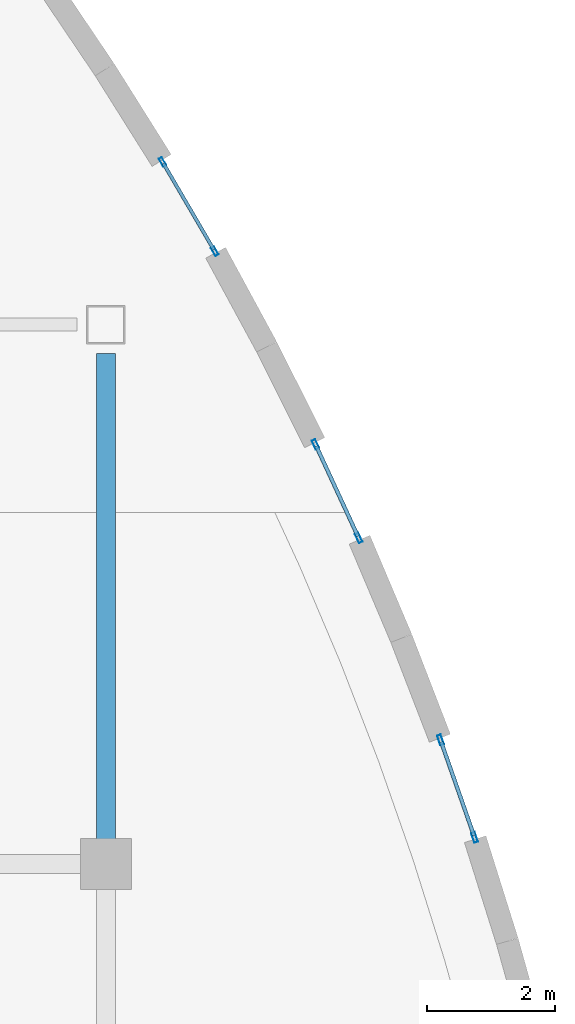
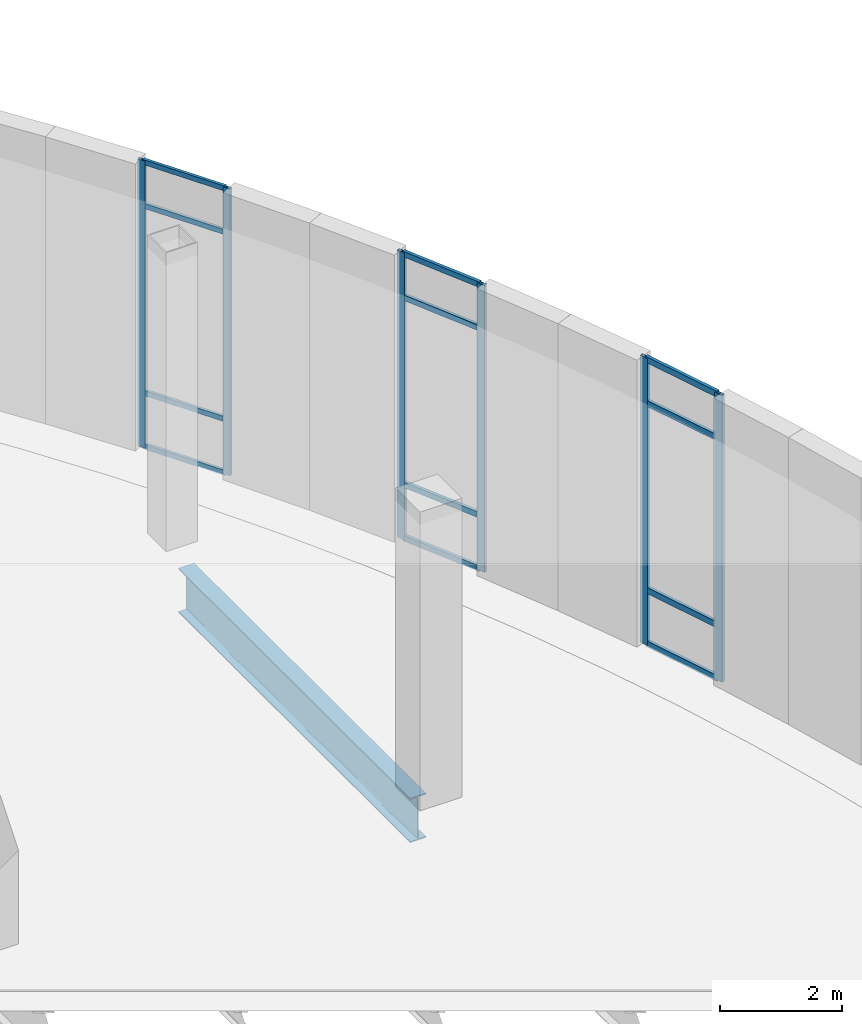
# One storey, part 33 of 85: 18 members, 1 beam, 3 elements without a shape of their own.
"""IFC4 building model written with IfcOpenShell, lengths in metres."""

from ifc_helpers import new_model, si_unit, direction, frame, origin, origin_2d, place, context, subcontext, project, spatial, hollow_rectangle, i_section, extrude, material, layer, layer_set, material_profile, profile_set, type_object, element, aggregate, save


model = new_model("IFC4")

# Units and contexts
model_context = context("Model", 3, precision=1e-05, world=origin(), true_north=direction((0.0, 1.0)))
body_context = subcontext(model_context, "Body", "Model", "MODEL_VIEW")
ifc_project = project(units=[si_unit("LENGTHUNIT", "METRE"), si_unit("AREAUNIT", "SQUARE_METRE"), si_unit("VOLUMEUNIT", "CUBIC_METRE"), si_unit("PLANEANGLEUNIT", "RADIAN"), si_unit("MASSUNIT", "GRAM", prefix="KILO"), si_unit("THERMODYNAMICTEMPERATUREUNIT", "KELVIN")], contexts=[model_context])

# Site, building, storey
site_placement = place(None, origin())
site = spatial("IfcSite", under=ifc_project, at=site_placement, CompositionType="ELEMENT")
building_placement = place(site_placement, origin())
building = spatial("IfcBuilding", under=site, at=building_placement, Name="Lustrewick Department Store", CompositionType="ELEMENT")
storey_placement = place(building_placement, origin())
storey = spatial("IfcBuildingStorey", under=building, at=storey_placement, Name="L01", CompositionType="ELEMENT", Elevation=0.0)

# Curtain wall, members
ifc_material_1 = material(Name="Thermally broken aluminium 6063-T5", Category="aluminium")
ifc_layer_1 = layer(ifc_material_1, 0.159912109375, Name="Thermally broken aluminium 6063-T5")
ifc_layer_set_1 = layer_set([ifc_layer_1], Name="Thermally broken aluminium 6063-T5")
curtain_wall_type_1 = type_object("IfcCurtainWallType", Name="CW04", PredefinedType="NOTDEFINED", material=ifc_layer_set_1)
curtain_wall_1_placement = place(storey_placement, origin())
curtain_wall_1 = element("IfcCurtainWall", 1, at=curtain_wall_1_placement, inside=storey, type_object=curtain_wall_type_1, Name="L01 V4 Curtain Wall CW04", PredefinedType="NOTDEFINED")
ifc_material_profile_1 = material_profile(ifc_material_1, hollow_rectangle(XDim=0.06005859375, YDim=0.159912109375, WallThickness=0.00390625, at=origin_2d()), Name="ALU-M 60x160x4")
ifc_profile_set_1 = profile_set([ifc_material_profile_1], Name="Thermally broken aluminium 6063-T5")
member_type_1 = type_object("IfcMemberType", Name="CW04-M1", PredefinedType="MULLION", material=ifc_profile_set_1)
member_1_placement = place(storey_placement, frame((165.341064453125, 76.013916015625, 0.0), z_axis=(0.0, 0.0, 1.0), x_axis=(-0.943893891059, -0.330248879516, 0.0)))
member_1 = element("IfcMember", 2, at=member_1_placement, type_object=member_type_1, Name="CW04 mullion 1", PredefinedType="MULLION", context=body_context, shape_type="SweptSolid", body=[
    extrude(hollow_rectangle(XDim=0.06005859375, YDim=0.159912109375, WallThickness=0.00390625, at=origin_2d()), origin(), (0.0, 0.0, 1.0), 5.7451171875),
])
member_2_placement = place(storey_placement, frame((164.810302734375, 77.53076171875, 0.0), z_axis=(0.0, 0.0, 1.0), x_axis=(-0.943893891059, -0.330248879516, 0.0)))
member_2 = element("IfcMember", 3, at=member_2_placement, type_object=member_type_1, Name="CW04 mullion 2", PredefinedType="MULLION", context=body_context, shape_type="SweptSolid", body=[
    extrude(hollow_rectangle(XDim=0.06005859375, YDim=0.159912109375, WallThickness=0.00390625, at=origin_2d()), origin(), (0.0, 0.0, 1.0), 5.7451171875),
])
ifc_material_profile_2 = material_profile(ifc_material_1, hollow_rectangle(XDim=0.06005859375, YDim=0.1201171875, WallThickness=0.00341796875, at=origin_2d()), Name="ALU-T 60x120x3.5")
ifc_profile_set_2 = profile_set([ifc_material_profile_2], Name="Thermally broken aluminium 6063-T5")
member_type_2 = type_object("IfcMemberType", Name="CW04-T1", PredefinedType="USERDEFINED", material=ifc_profile_set_2)
member_3_placement = place(storey_placement, frame((165.3310546875, 76.042236328125, 0.030029296875), z_axis=(-0.330160611584, 0.943924769544, 0.0), x_axis=(-0.943924769544, -0.330160611584, 0.0)))
member_3 = element("IfcMember", 4, at=member_3_placement, type_object=member_type_2, Name="CW04 transom 1.1", ObjectType="TRANSOM", PredefinedType="USERDEFINED", context=body_context, shape_type="SweptSolid", body=[
    extrude(hollow_rectangle(XDim=0.06005859375, YDim=0.1201171875, WallThickness=0.00341796875, at=origin_2d()), origin(), (0.0, 0.0, 1.0), 1.546875),
])
member_4_placement = place(storey_placement, frame((165.3310546875, 76.042236328125, 1.10009765625), z_axis=(-0.330160611584, 0.943924769544, 0.0), x_axis=(-0.943924769544, -0.330160611584, 0.0)))
member_4 = element("IfcMember", 5, at=member_4_placement, type_object=member_type_2, Name="CW04 transom 1.2", ObjectType="TRANSOM", PredefinedType="USERDEFINED", context=body_context, shape_type="SweptSolid", body=[
    extrude(hollow_rectangle(XDim=0.06005859375, YDim=0.1201171875, WallThickness=0.00341796875, at=origin_2d()), origin(), (0.0, 0.0, 1.0), 1.546875),
])
member_5_placement = place(storey_placement, frame((165.3310546875, 76.042236328125, 4.844970703125), z_axis=(-0.330160611584, 0.943924769544, 0.0), x_axis=(-0.943924769544, -0.330160611584, 0.0)))
member_5 = element("IfcMember", 6, at=member_5_placement, type_object=member_type_2, Name="CW04 transom 1.3", ObjectType="TRANSOM", PredefinedType="USERDEFINED", context=body_context, shape_type="SweptSolid", body=[
    extrude(hollow_rectangle(XDim=0.06005859375, YDim=0.1201171875, WallThickness=0.00341796875, at=origin_2d()), origin(), (0.0, 0.0, 1.0), 1.546875),
])
member_6_placement = place(storey_placement, frame((165.3310546875, 76.042236328125, 5.715087890625), z_axis=(-0.330160611584, 0.943924769544, 0.0), x_axis=(-0.943924769544, -0.330160611584, 0.0)))
member_6 = element("IfcMember", 7, at=member_6_placement, type_object=member_type_2, Name="CW04 transom 1.4", ObjectType="TRANSOM", PredefinedType="USERDEFINED", context=body_context, shape_type="SweptSolid", body=[
    extrude(hollow_rectangle(XDim=0.06005859375, YDim=0.1201171875, WallThickness=0.00341796875, at=origin_2d()), origin(), (0.0, 0.0, 1.0), 1.546875),
])
aggregate(curtain_wall_1, [member_1, member_2, member_3, member_4, member_5, member_6])

ifc_layer_2 = layer(ifc_material_1, 0.14990234375, Name="Thermally broken aluminium 6063-T5")
ifc_layer_set_2 = layer_set([ifc_layer_2], Name="Thermally broken aluminium 6063-T5")
curtain_wall_type_2 = type_object("IfcCurtainWallType", Name="CW05", PredefinedType="NOTDEFINED", material=ifc_layer_set_2)
curtain_wall_2_placement = place(storey_placement, origin())
curtain_wall_2 = element("IfcCurtainWall", 8, at=curtain_wall_2_placement, inside=storey, type_object=curtain_wall_type_2, Name="L01 V4 Curtain Wall CW05", PredefinedType="NOTDEFINED")
ifc_material_profile_3 = material_profile(ifc_material_1, hollow_rectangle(XDim=0.06005859375, YDim=0.14990234375, WallThickness=0.00341796875, at=origin_2d()), Name="ALU-M 60x150x3.5")
ifc_profile_set_3 = profile_set([ifc_material_profile_3], Name="Thermally broken aluminium 6063-T5")
member_type_3 = type_object("IfcMemberType", Name="CW05-M1", PredefinedType="MULLION", material=ifc_profile_set_3)
member_7_placement = place(storey_placement, frame((163.536865234375, 80.676025390625, 0.0), z_axis=(0.0, 0.0, 1.0), x_axis=(-0.907810086565, -0.419381504995, 0.0)))
member_7 = element("IfcMember", 9, at=member_7_placement, type_object=member_type_3, Name="CW05 mullion 1", PredefinedType="MULLION", context=body_context, shape_type="SweptSolid", body=[
    extrude(hollow_rectangle(XDim=0.06005859375, YDim=0.14990234375, WallThickness=0.00341796875, at=origin_2d()), origin(), (0.0, 0.0, 1.0), 5.7451171875),
])
member_8_placement = place(storey_placement, frame((162.863037109375, 82.134765625, 0.0), z_axis=(0.0, 0.0, 1.0), x_axis=(-0.907810086565, -0.419381504995, 0.0)))
member_8 = element("IfcMember", 10, at=member_8_placement, type_object=member_type_3, Name="CW05 mullion 2", PredefinedType="MULLION", context=body_context, shape_type="SweptSolid", body=[
    extrude(hollow_rectangle(XDim=0.06005859375, YDim=0.14990234375, WallThickness=0.00341796875, at=origin_2d()), origin(), (0.0, 0.0, 1.0), 5.7451171875),
])
ifc_material_profile_4 = material_profile(ifc_material_1, hollow_rectangle(XDim=0.06005859375, YDim=0.110107421875, WallThickness=0.0029296875, at=origin_2d()), Name="ALU-T 60x110x3")
ifc_profile_set_4 = profile_set([ifc_material_profile_4], Name="Thermally broken aluminium 6063-T5")
member_type_4 = type_object("IfcMemberType", Name="CW05-T1", PredefinedType="USERDEFINED", material=ifc_profile_set_4)
member_9_placement = place(storey_placement, frame((163.5244140625, 80.703125, 0.030029296875), z_axis=(-0.419478465545, 0.907765287365, 0.0), x_axis=(-0.907765287365, -0.419478465545, 0.0)))
member_9 = element("IfcMember", 11, at=member_9_placement, type_object=member_type_4, Name="CW05 transom 1.1", ObjectType="TRANSOM", PredefinedType="USERDEFINED", context=body_context, shape_type="SweptSolid", body=[
    extrude(hollow_rectangle(XDim=0.06005859375, YDim=0.110107421875, WallThickness=0.0029296875, at=origin_2d()), origin(), (0.0, 0.0, 1.0), 1.546875),
])
member_10_placement = place(storey_placement, frame((163.5244140625, 80.703125, 1.10009765625), z_axis=(-0.419478465545, 0.907765287365, 0.0), x_axis=(-0.907765287365, -0.419478465545, 0.0)))
member_10 = element("IfcMember", 12, at=member_10_placement, type_object=member_type_4, Name="CW05 transom 1.2", ObjectType="TRANSOM", PredefinedType="USERDEFINED", context=body_context, shape_type="SweptSolid", body=[
    extrude(hollow_rectangle(XDim=0.06005859375, YDim=0.110107421875, WallThickness=0.0029296875, at=origin_2d()), origin(), (0.0, 0.0, 1.0), 1.546875),
])
member_11_placement = place(storey_placement, frame((163.5244140625, 80.703125, 4.844970703125), z_axis=(-0.419478465545, 0.907765287365, 0.0), x_axis=(-0.907765287365, -0.419478465545, 0.0)))
member_11 = element("IfcMember", 13, at=member_11_placement, type_object=member_type_4, Name="CW05 transom 1.3", ObjectType="TRANSOM", PredefinedType="USERDEFINED", context=body_context, shape_type="SweptSolid", body=[
    extrude(hollow_rectangle(XDim=0.06005859375, YDim=0.110107421875, WallThickness=0.0029296875, at=origin_2d()), origin(), (0.0, 0.0, 1.0), 1.546875),
])
member_12_placement = place(storey_placement, frame((163.5244140625, 80.703125, 5.715087890625), z_axis=(-0.419478465545, 0.907765287365, 0.0), x_axis=(-0.907765287365, -0.419478465545, 0.0)))
member_12 = element("IfcMember", 14, at=member_12_placement, type_object=member_type_4, Name="CW05 transom 1.4", ObjectType="TRANSOM", PredefinedType="USERDEFINED", context=body_context, shape_type="SweptSolid", body=[
    extrude(hollow_rectangle(XDim=0.06005859375, YDim=0.110107421875, WallThickness=0.0029296875, at=origin_2d()), origin(), (0.0, 0.0, 1.0), 1.546875),
])
aggregate(curtain_wall_2, [member_7, member_8, member_9, member_10, member_11, member_12])

ifc_layer_3 = layer(ifc_material_1, 0.139892578125, Name="Thermally broken aluminium 6063-T5")
ifc_layer_set_3 = layer_set([ifc_layer_3], Name="Thermally broken aluminium 6063-T5")
curtain_wall_type_3 = type_object("IfcCurtainWallType", Name="CW06", PredefinedType="NOTDEFINED", material=ifc_layer_set_3)
curtain_wall_3_placement = place(storey_placement, origin())
curtain_wall_3 = element("IfcCurtainWall", 15, at=curtain_wall_3_placement, inside=storey, type_object=curtain_wall_type_3, Name="L01 V4 Curtain Wall CW06", PredefinedType="NOTDEFINED")
ifc_material_profile_5 = material_profile(ifc_material_1, hollow_rectangle(XDim=0.054931640625, YDim=0.139892578125, WallThickness=0.00341796875, at=origin_2d()), Name="ALU-M 55x140x3.5")
ifc_profile_set_5 = profile_set([ifc_material_profile_5], Name="Thermally broken aluminium 6063-T5")
member_type_5 = type_object("IfcMemberType", Name="CW06-M1", PredefinedType="MULLION", material=ifc_profile_set_5)
member_13_placement = place(storey_placement, frame((161.294677734375, 85.14111328125, 0.0), z_axis=(0.0, 0.0, 1.0), x_axis=(-0.86332815827, -0.504642934299, 0.0)))
member_13 = element("IfcMember", 16, at=member_13_placement, type_object=member_type_5, Name="CW06 mullion 1", PredefinedType="MULLION", context=body_context, shape_type="SweptSolid", body=[
    extrude(hollow_rectangle(XDim=0.054931640625, YDim=0.139892578125, WallThickness=0.00341796875, at=origin_2d()), origin(), (0.0, 0.0, 1.0), 5.7451171875),
])
member_14_placement = place(storey_placement, frame((160.481201171875, 86.53271484375, 0.0), z_axis=(0.0, 0.0, 1.0), x_axis=(-0.86332815827, -0.504642934299, 0.0)))
member_14 = element("IfcMember", 17, at=member_14_placement, type_object=member_type_5, Name="CW06 mullion 2", PredefinedType="MULLION", context=body_context, shape_type="SweptSolid", body=[
    extrude(hollow_rectangle(XDim=0.054931640625, YDim=0.139892578125, WallThickness=0.00341796875, at=origin_2d()), origin(), (0.0, 0.0, 1.0), 5.7451171875),
])
ifc_material_profile_6 = material_profile(ifc_material_1, hollow_rectangle(XDim=0.054931640625, YDim=0.10009765625, WallThickness=0.0029296875, at=origin_2d()), Name="ALU-T 55x100x3")
ifc_profile_set_6 = profile_set([ifc_material_profile_6], Name="Thermally broken aluminium 6063-T5")
member_type_6 = type_object("IfcMemberType", Name="CW06-T1", PredefinedType="USERDEFINED", material=ifc_profile_set_6)
member_15_placement = place(storey_placement, frame((161.28076171875, 85.164794921875, 0.027587890625), z_axis=(-0.504592306421, 0.863357749893, 0.0), x_axis=(-0.863357749893, -0.504592306421, 0.0)))
member_15 = element("IfcMember", 18, at=member_15_placement, type_object=member_type_6, Name="CW06 transom 1.1", ObjectType="TRANSOM", PredefinedType="USERDEFINED", context=body_context, shape_type="SweptSolid", body=[
    extrude(hollow_rectangle(XDim=0.054931640625, YDim=0.10009765625, WallThickness=0.0029296875, at=origin_2d()), origin(), (0.0, 0.0, 1.0), 1.556884765625),
])
member_16_placement = place(storey_placement, frame((161.28076171875, 85.164794921875, 1.10009765625), z_axis=(-0.504592306421, 0.863357749893, 0.0), x_axis=(-0.863357749893, -0.504592306421, 0.0)))
member_16 = element("IfcMember", 19, at=member_16_placement, type_object=member_type_6, Name="CW06 transom 1.2", ObjectType="TRANSOM", PredefinedType="USERDEFINED", context=body_context, shape_type="SweptSolid", body=[
    extrude(hollow_rectangle(XDim=0.054931640625, YDim=0.10009765625, WallThickness=0.0029296875, at=origin_2d()), origin(), (0.0, 0.0, 1.0), 1.556884765625),
])
member_17_placement = place(storey_placement, frame((161.28076171875, 85.164794921875, 4.844970703125), z_axis=(-0.504592306421, 0.863357749893, 0.0), x_axis=(-0.863357749893, -0.504592306421, 0.0)))
member_17 = element("IfcMember", 20, at=member_17_placement, type_object=member_type_6, Name="CW06 transom 1.3", ObjectType="TRANSOM", PredefinedType="USERDEFINED", context=body_context, shape_type="SweptSolid", body=[
    extrude(hollow_rectangle(XDim=0.054931640625, YDim=0.10009765625, WallThickness=0.0029296875, at=origin_2d()), origin(), (0.0, 0.0, 1.0), 1.556884765625),
])
member_18_placement = place(storey_placement, frame((161.28076171875, 85.164794921875, 5.717529296875), z_axis=(-0.504592306421, 0.863357749893, 0.0), x_axis=(-0.863357749893, -0.504592306421, 0.0)))
member_18 = element("IfcMember", 21, at=member_18_placement, type_object=member_type_6, Name="CW06 transom 1.4", ObjectType="TRANSOM", PredefinedType="USERDEFINED", context=body_context, shape_type="SweptSolid", body=[
    extrude(hollow_rectangle(XDim=0.054931640625, YDim=0.10009765625, WallThickness=0.0029296875, at=origin_2d()), origin(), (0.0, 0.0, 1.0), 1.556884765625),
])
aggregate(curtain_wall_3, [member_13, member_14, member_15, member_16, member_17, member_18])

# Beam
ifc_material_2 = material(Name="Structural steel Q355C", Category="steel")
ifc_material_profile_7 = material_profile(ifc_material_2, i_section(OverallWidth=0.299072265625, OverallDepth=0.889892578125, WebThickness=0.014892578125, FlangeThickness=0.02294921875, FilletRadius=0.02392578125, at=origin_2d()), Name="HN 890x299x15x23")
ifc_profile_set_7 = profile_set([ifc_material_profile_7], Name="Structural steel Q355C")
beam_type = type_object("IfcBeamType", Name="G03", PredefinedType="BEAM", material=ifc_profile_set_7)
beam_placement = place(storey_placement, frame((159.60009765625, 75.949951171875, -0.715087890625), z_axis=(0.0, 1.0, 0.0), x_axis=(-1.0, 0.0, 0.0)))
element("IfcBeam", 22, at=beam_placement, inside=storey, type_object=beam_type, Name="L01 V4 Girder G03", PredefinedType="BEAM", context=body_context, shape_type="SweptSolid", body=[
    extrude(i_section(OverallWidth=0.299072265625, OverallDepth=0.889892578125, WebThickness=0.014892578125, FlangeThickness=0.02294921875, FilletRadius=0.02392578125, at=origin_2d()), origin(), (0.0, 0.0, 1.0), 7.60009765625),
])

save(model, "model.ifc")
